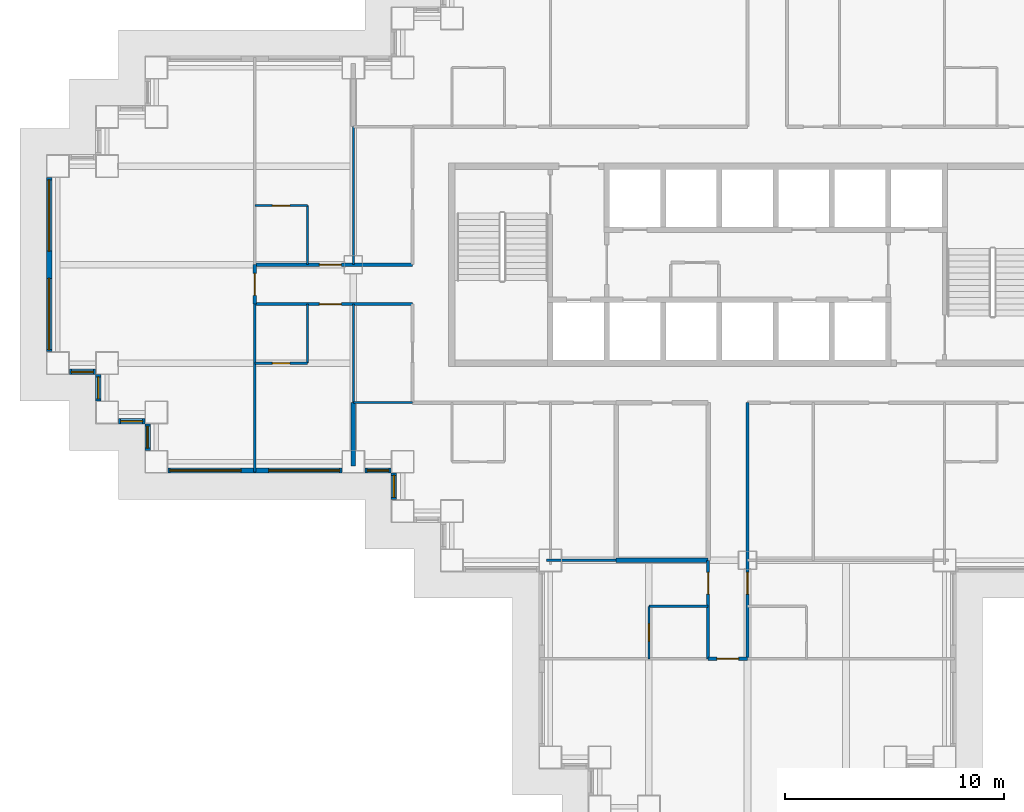
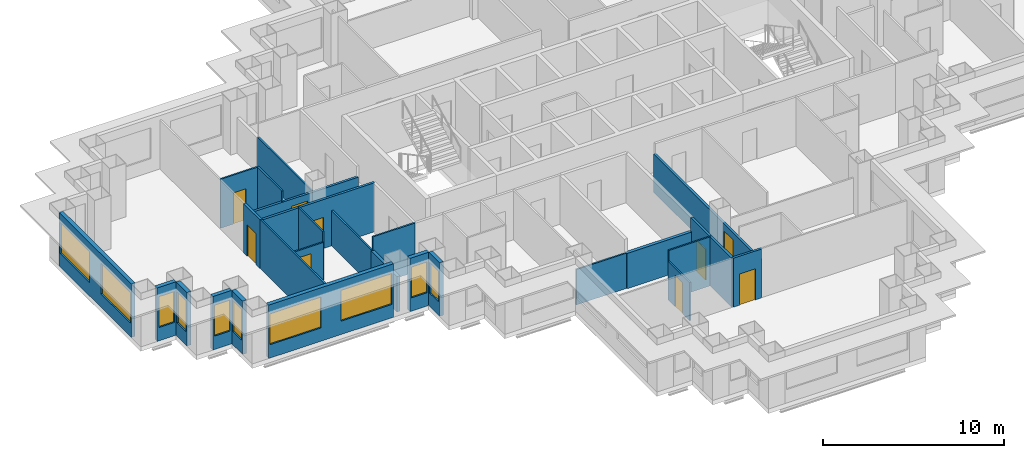
# One storey, part 3 of 14: 27 walls, 10 windows, 9 doors, 19 openings.
"""IFC4 building model written with IfcOpenShell, lengths in metres."""

from ifc_helpers import new_model, si_unit, direction, frame, frame_2d, origin, place, context, subcontext, project, spatial, rectangle, extrude, material, layer, layer_set, type_object, element, fill, save


model = new_model("IFC4")

# Units and contexts
model_context = context("Model", 3, precision=1e-05, world=origin(), true_north=direction((0.0, 1.0)))
body_context = subcontext(model_context, "Body", "Model", "MODEL_VIEW")
ifc_project = project(units=[si_unit("LENGTHUNIT", "METRE"), si_unit("AREAUNIT", "SQUARE_METRE"), si_unit("VOLUMEUNIT", "CUBIC_METRE"), si_unit("PLANEANGLEUNIT", "RADIAN"), si_unit("MASSUNIT", "GRAM", prefix="KILO")], contexts=[model_context])

# Site, building, storey
site_placement = place(None, origin())
site = spatial("IfcSite", under=ifc_project, at=site_placement, CompositionType="ELEMENT")
building_placement = place(site_placement, origin())
building = spatial("IfcBuilding", under=site, at=building_placement, Name="Caravel Reach Hotel and Residences", CompositionType="ELEMENT")
storey_placement = place(building_placement, frame((0.0, 0.0, 40.800048828125)))
storey = spatial("IfcBuildingStorey", under=building, at=storey_placement, Name="L08", CompositionType="ELEMENT", Elevation=40.800048828125)

# Wall
ifc_material_1 = material(Name="Gypsum board on steel stud", Category="steel")
ifc_layer_1 = layer(ifc_material_1, 0.10009765625)
ifc_layer_set_1 = layer_set([ifc_layer_1], Name="Bathroom pod wall 100 mm")
wall_type_1 = type_object("IfcWallType", Name="Bathroom pod wall 100 mm", PredefinedType="PARTITIONING", material=ifc_layer_set_1)
wall_1_placement = place(storey_placement, frame((27.0, 11.39990234375, 0.0), z_axis=(0.0, 0.0, 1.0), x_axis=(1.0, 0.0, 0.0)))
element("IfcWall", 1, at=wall_1_placement, inside=storey, type_object=wall_type_1, Name="L08 wall w075", PredefinedType="PARTITIONING", context=body_context, shape_type="SweptSolid", body=[
    extrude(rectangle(XDim=2.699951171875, YDim=0.10009765625, at=frame_2d((1.35009765625, 0.0))), origin(), (0.0, 0.0, 1.0), 3.300048828125),
])

# Wall, opening, door
wall_2_placement = place(storey_placement, frame((9.0, 22.5, 0.0), z_axis=(0.0, 0.0, 1.0), x_axis=(1.0, 0.0, 0.0)))
wall_2 = element("IfcWall", 2, at=wall_2_placement, inside=storey, type_object=wall_type_1, Name="L08 wall w078", PredefinedType="PARTITIONING", context=body_context, shape_type="SweptSolid", body=[
    extrude(rectangle(XDim=2.39990234375, YDim=0.10009765625, at=frame_2d((1.199951171875, 0.0))), origin(), (0.0, 0.0, 1.0), 2.579833984375),
])
opening_1_placement = place(wall_2_placement, frame((0.800048828125, 0.0, 0.0)))
opening_1 = element("IfcOpeningElement", 3, at=opening_1_placement, cuts=wall_2, Name="Opening D08-016", PredefinedType="OPENING", context=body_context, shape_type="SweptSolid", body=[
    extrude(rectangle(XDim=0.800048828125, YDim=2.10009765625, at=frame_2d((0.39990234375, 1.050048828125))), frame((0.0, 0.06005859375, 0.0), z_axis=(0.0, -1.0, 0.0), x_axis=(1.0, 0.0, 0.0)), (0.0, 0.0, 1.0), 0.1201171875),
])
ifc_material_2 = material(Name="Timber and steel door leaf", Category="steel")
door_type_1 = type_object("IfcDoorType", Name="Bathroom door 800 x 2100", OperationType="SINGLE_SWING_LEFT", PredefinedType="DOOR", material=ifc_material_2)
door_1_placement = place(opening_1_placement, origin())
door_1 = element("IfcDoor", 4, at=door_1_placement, inside=storey, type_object=door_type_1, Name="door D08-016", OperationType="SINGLE_SWING_RIGHT", OverallHeight=2.10009765625, OverallWidth=0.800048828125, PredefinedType="DOOR", context=body_context, shape_type="SweptSolid", body=[
    extrude(rectangle(XDim=0.800048828125, YDim=2.10009765625, at=frame_2d((0.39990234375, 1.050048828125))), frame((0.0, 0.02490234375, 0.0), z_axis=(0.0, -1.0, 0.0), x_axis=(1.0, 0.0, 0.0)), (0.0, 0.0, 1.0), 0.050048828125),
])
fill(opening_1, door_1)

wall_3_placement = place(storey_placement, frame((9.0, 29.699951171875, 0.0), z_axis=(0.0, 0.0, 1.0), x_axis=(1.0, 0.0, 0.0)))
wall_3 = element("IfcWall", 5, at=wall_3_placement, inside=storey, type_object=wall_type_1, Name="L08 wall w083", PredefinedType="PARTITIONING", context=body_context, shape_type="SweptSolid", body=[
    extrude(rectangle(XDim=2.39990234375, YDim=0.10009765625, at=frame_2d((1.199951171875, 0.0))), origin(), (0.0, 0.0, 1.0), 3.300048828125),
])
opening_2_placement = place(wall_3_placement, frame((0.800048828125, 0.0, 0.0)))
opening_2 = element("IfcOpeningElement", 6, at=opening_2_placement, cuts=wall_3, Name="Opening D08-018", PredefinedType="OPENING", context=body_context, shape_type="SweptSolid", body=[
    extrude(rectangle(XDim=0.800048828125, YDim=2.10009765625, at=frame_2d((0.39990234375, 1.050048828125))), frame((0.0, 0.06005859375, 0.0), z_axis=(0.0, -1.0, 0.0), x_axis=(1.0, 0.0, 0.0)), (0.0, 0.0, 1.0), 0.1201171875),
])
door_2_placement = place(opening_2_placement, origin())
door_2 = element("IfcDoor", 7, at=door_2_placement, inside=storey, type_object=door_type_1, Name="door D08-018", OperationType="SINGLE_SWING_RIGHT", OverallHeight=2.10009765625, OverallWidth=0.800048828125, PredefinedType="DOOR", context=body_context, shape_type="SweptSolid", body=[
    extrude(rectangle(XDim=0.800048828125, YDim=2.10009765625, at=frame_2d((0.39990234375, 1.050048828125))), frame((0.0, 0.02490234375, 0.0), z_axis=(0.0, -1.0, 0.0), x_axis=(1.0, 0.0, 0.0)), (0.0, 0.0, 1.0), 0.050048828125),
])
fill(opening_2, door_2)

# Walls
for number, where, z_axis, x_axis, name in (
    (8, (11.39990234375, 27.0, 0.0), (0.0, 0.0, 1.0), (0.0, 1.0, 0.0), "L08 wall w089"),
    (9, (11.39990234375, 22.5, 0.0), (0.0, 0.0, 1.0), (0.0, 1.0, 0.0), "L08 wall w090"),
):
    element("IfcWall", number, at=place(storey_placement, frame(where, z_axis=z_axis, x_axis=x_axis)), inside=storey, type_object=wall_type_1, Name=name, PredefinedType="PARTITIONING", context=body_context, shape_type="SweptSolid", body=[
        extrude(rectangle(XDim=2.699951171875, YDim=0.10009765625, at=frame_2d((1.35009765625, 0.0))), origin(), (0.0, 0.0, 1.0), 3.300048828125),
    ])

# Wall, opening, door
wall_4_placement = place(storey_placement, frame((27.0, 9.0, 0.0), z_axis=(0.0, 0.0, 1.0), x_axis=(0.0, 1.0, 0.0)))
wall_4 = element("IfcWall", 10, at=wall_4_placement, inside=storey, type_object=wall_type_1, Name="L08 wall w095", PredefinedType="PARTITIONING", context=body_context, shape_type="SweptSolid", body=[
    extrude(rectangle(XDim=2.39990234375, YDim=0.10009765625, at=frame_2d((1.199951171875, 0.0))), origin(), (0.0, 0.0, 1.0), 2.579833984375),
])
opening_3_placement = place(wall_4_placement, frame((0.800048828125, 0.0, 0.0)))
opening_3 = element("IfcOpeningElement", 11, at=opening_3_placement, cuts=wall_4, Name="Opening D08-033", PredefinedType="OPENING", context=body_context, shape_type="SweptSolid", body=[
    extrude(rectangle(XDim=0.800048828125, YDim=2.10009765625, at=frame_2d((0.39990234375, 1.050048828125))), frame((0.0, 0.06005859375, 0.0), z_axis=(0.0, -1.0, 0.0), x_axis=(1.0, 0.0, 0.0)), (0.0, 0.0, 1.0), 0.1201171875),
])
door_3_placement = place(opening_3_placement, origin())
door_3 = element("IfcDoor", 12, at=door_3_placement, inside=storey, type_object=door_type_1, Name="door D08-033", OperationType="SINGLE_SWING_LEFT", OverallHeight=2.10009765625, OverallWidth=0.800048828125, PredefinedType="DOOR", context=body_context, shape_type="SweptSolid", body=[
    extrude(rectangle(XDim=0.800048828125, YDim=2.10009765625, at=frame_2d((0.39990234375, 1.050048828125))), frame((0.0, 0.02490234375, 0.0), z_axis=(0.0, -1.0, 0.0), x_axis=(1.0, 0.0, 0.0)), (0.0, 0.0, 1.0), 0.050048828125),
])
fill(opening_3, door_3)

# Wall
ifc_material_3 = material(Name="Autoclaved aerated block wall")
ifc_layer_2 = layer(ifc_material_3, 0.199951171875)
ifc_layer_set_2 = layer_set([ifc_layer_2], Name="Compartment wall 200 mm EI 120")
wall_type_2 = type_object("IfcWallType", Name="Compartment wall 200 mm EI 120", PredefinedType="PARTITIONING", material=ifc_layer_set_2)
wall_5_placement = place(storey_placement, frame((25.5, 13.5, 0.0), z_axis=(0.0, 0.0, 1.0), x_axis=(1.0, 0.0, 0.0)))
element("IfcWall", 13, at=wall_5_placement, inside=storey, type_object=wall_type_2, Name="L08 wall w105", PredefinedType="PARTITIONING", context=body_context, shape_type="SweptSolid", body=[
    extrude(rectangle(XDim=4.199951171875, YDim=0.199951171875, at=frame_2d((2.10009765625, 0.0))), origin(), (0.0, 0.0, 1.0), 2.3798828125),
])

# Wall, opening, door
ifc_material_4 = material(Name="Gypsum board on steel stud, fire-rated", Category="steel")
ifc_layer_3 = layer(ifc_material_4, 0.14990234375)
ifc_layer_set_3 = layer_set([ifc_layer_3], Name="Corridor wall 150 mm EI 60")
wall_type_3 = type_object("IfcWallType", Name="Corridor wall 150 mm EI 60", PredefinedType="PARTITIONING", material=ifc_layer_set_3)
wall_6_placement = place(storey_placement, frame((9.0, 25.199951171875, 0.0), z_axis=(0.0, 0.0, 1.0), x_axis=(1.0, 0.0, 0.0)))
wall_6 = element("IfcWall", 14, at=wall_6_placement, inside=storey, type_object=wall_type_3, Name="L08 wall w006", PredefinedType="PARTITIONING", context=body_context, shape_type="SweptSolid", body=[
    extrude(rectangle(XDim=7.199951171875, YDim=0.14990234375, at=frame_2d((3.60009765625, 0.0))), origin(), (0.0, 0.0, 1.0), 3.300048828125),
])
opening_4_placement = place(wall_6_placement, frame((2.949951171875, 0.0, 0.0)))
opening_4 = element("IfcOpeningElement", 15, at=opening_4_placement, cuts=wall_6, Name="Opening D08-015", PredefinedType="OPENING", context=body_context, shape_type="SweptSolid", body=[
    extrude(rectangle(XDim=1.0, YDim=2.10009765625, at=frame_2d((0.5, 1.050048828125))), frame((0.0, 0.0849609375, 0.0), z_axis=(0.0, -1.0, 0.0), x_axis=(1.0, 0.0, 0.0)), (0.0, 0.0, 1.0), 0.169921875),
])
ifc_material_5 = material(Name="Steel fire door leaf", Category="steel")
door_type_2 = type_object("IfcDoorType", Name="Guest room door 1000 x 2100 EI 30", OperationType="SINGLE_SWING_LEFT", PredefinedType="DOOR", material=ifc_material_5)
door_4_placement = place(opening_4_placement, origin())
door_4 = element("IfcDoor", 16, at=door_4_placement, inside=storey, type_object=door_type_2, Name="door D08-015", OperationType="SINGLE_SWING_RIGHT", OverallHeight=2.10009765625, OverallWidth=1.0, PredefinedType="DOOR", context=body_context, shape_type="SweptSolid", body=[
    extrude(rectangle(XDim=1.0, YDim=2.10009765625, at=frame_2d((0.5, 1.050048828125))), frame((0.0, 0.02490234375, 0.0), z_axis=(0.0, -1.0, 0.0), x_axis=(1.0, 0.0, 0.0)), (0.0, 0.0, 1.0), 0.050048828125),
])
fill(opening_4, door_4)

wall_7_placement = place(storey_placement, frame((9.0, 27.0, 0.0), z_axis=(0.0, 0.0, 1.0), x_axis=(1.0, 0.0, 0.0)))
wall_7 = element("IfcWall", 17, at=wall_7_placement, inside=storey, type_object=wall_type_3, Name="L08 wall w010", PredefinedType="PARTITIONING", context=body_context, shape_type="SweptSolid", body=[
    extrude(rectangle(XDim=7.199951171875, YDim=0.14990234375, at=frame_2d((3.60009765625, 0.0))), origin(), (0.0, 0.0, 1.0), 2.579833984375),
])
opening_5_placement = place(wall_7_placement, frame((2.949951171875, 0.0, 0.0)))
opening_5 = element("IfcOpeningElement", 18, at=opening_5_placement, cuts=wall_7, Name="Opening D08-017", PredefinedType="OPENING", context=body_context, shape_type="SweptSolid", body=[
    extrude(rectangle(XDim=1.0, YDim=2.10009765625, at=frame_2d((0.5, 1.050048828125))), frame((0.0, 0.0849609375, 0.0), z_axis=(0.0, -1.0, 0.0), x_axis=(1.0, 0.0, 0.0)), (0.0, 0.0, 1.0), 0.169921875),
])
door_5_placement = place(opening_5_placement, origin())
door_5 = element("IfcDoor", 19, at=door_5_placement, inside=storey, type_object=door_type_2, Name="door D08-017", OperationType="SINGLE_SWING_RIGHT", OverallHeight=2.10009765625, OverallWidth=1.0, PredefinedType="DOOR", context=body_context, shape_type="SweptSolid", body=[
    extrude(rectangle(XDim=1.0, YDim=2.10009765625, at=frame_2d((0.5, 1.050048828125))), frame((0.0, 0.02490234375, 0.0), z_axis=(0.0, -1.0, 0.0), x_axis=(1.0, 0.0, 0.0)), (0.0, 0.0, 1.0), 0.050048828125),
])
fill(opening_5, door_5)

wall_8_placement = place(storey_placement, frame((29.699951171875, 9.0, 0.0), z_axis=(0.0, 0.0, 1.0), x_axis=(1.0, 0.0, 0.0)))
wall_8 = element("IfcWall", 20, at=wall_8_placement, inside=storey, type_object=wall_type_3, Name="L08 wall w022", PredefinedType="PARTITIONING", context=body_context, shape_type="SweptSolid", body=[
    extrude(rectangle(XDim=1.800048828125, YDim=0.14990234375, at=frame_2d((0.89990234375, 0.0))), origin(), (0.0, 0.0, 1.0), 3.300048828125),
])
opening_6_placement = place(wall_8_placement, frame((0.39990234375, 0.0, 0.0)))
opening_6 = element("IfcOpeningElement", 21, at=opening_6_placement, cuts=wall_8, Name="Opening D08-040", PredefinedType="OPENING", context=body_context, shape_type="SweptSolid", body=[
    extrude(rectangle(XDim=1.0, YDim=2.10009765625, at=frame_2d((0.5, 1.050048828125))), frame((0.0, 0.0849609375, 0.0), z_axis=(0.0, -1.0, 0.0), x_axis=(1.0, 0.0, 0.0)), (0.0, 0.0, 1.0), 0.169921875),
])
door_6_placement = place(opening_6_placement, origin())
door_6 = element("IfcDoor", 22, at=door_6_placement, inside=storey, type_object=door_type_2, Name="door D08-040", OperationType="SINGLE_SWING_RIGHT", OverallHeight=2.10009765625, OverallWidth=1.0, PredefinedType="DOOR", context=body_context, shape_type="SweptSolid", body=[
    extrude(rectangle(XDim=1.0, YDim=2.10009765625, at=frame_2d((0.5, 1.050048828125))), frame((0.0, 0.02490234375, 0.0), z_axis=(0.0, -1.0, 0.0), x_axis=(1.0, 0.0, 0.0)), (0.0, 0.0, 1.0), 0.050048828125),
])
fill(opening_6, door_6)

wall_9_placement = place(storey_placement, frame((29.699951171875, 9.0, 0.0), z_axis=(0.0, 0.0, 1.0), x_axis=(0.0, 1.0, 0.0)))
wall_9 = element("IfcWall", 23, at=wall_9_placement, inside=storey, type_object=wall_type_3, Name="L08 wall w025", PredefinedType="PARTITIONING", context=body_context, shape_type="SweptSolid", body=[
    extrude(rectangle(XDim=4.5, YDim=0.14990234375, at=frame_2d((2.25, 0.0))), origin(), (0.0, 0.0, 1.0), 3.300048828125),
])
opening_7_placement = place(wall_9_placement, frame((2.949951171875, 0.0, 0.0)))
opening_7 = element("IfcOpeningElement", 24, at=opening_7_placement, cuts=wall_9, Name="Opening D08-032", PredefinedType="OPENING", context=body_context, shape_type="SweptSolid", body=[
    extrude(rectangle(XDim=1.0, YDim=2.10009765625, at=frame_2d((0.5, 1.050048828125))), frame((0.0, 0.0849609375, 0.0), z_axis=(0.0, -1.0, 0.0), x_axis=(1.0, 0.0, 0.0)), (0.0, 0.0, 1.0), 0.169921875),
])
door_7_placement = place(opening_7_placement, origin())
door_7 = element("IfcDoor", 25, at=door_7_placement, inside=storey, type_object=door_type_2, Name="door D08-032", OperationType="SINGLE_SWING_RIGHT", OverallHeight=2.10009765625, OverallWidth=1.0, PredefinedType="DOOR", context=body_context, shape_type="SweptSolid", body=[
    extrude(rectangle(XDim=1.0, YDim=2.10009765625, at=frame_2d((0.5, 1.050048828125))), frame((0.0, 0.02490234375, 0.0), z_axis=(0.0, -1.0, 0.0), x_axis=(1.0, 0.0, 0.0)), (0.0, 0.0, 1.0), 0.050048828125),
])
fill(opening_7, door_7)

wall_10_placement = place(storey_placement, frame((31.5, 9.0, 0.0), z_axis=(0.0, 0.0, 1.0), x_axis=(0.0, 1.0, 0.0)))
wall_10 = element("IfcWall", 26, at=wall_10_placement, inside=storey, type_object=wall_type_3, Name="L08 wall w026", PredefinedType="PARTITIONING", context=body_context, shape_type="SweptSolid", body=[
    extrude(rectangle(XDim=11.699951171875, YDim=0.14990234375, at=frame_2d((5.85009765625, 0.0))), origin(), (0.0, 0.0, 1.0), 2.579833984375),
])
opening_8_placement = place(wall_10_placement, frame((2.949951171875, 0.0, 0.0)))
opening_8 = element("IfcOpeningElement", 27, at=opening_8_placement, cuts=wall_10, Name="Opening D08-034", PredefinedType="OPENING", context=body_context, shape_type="SweptSolid", body=[
    extrude(rectangle(XDim=1.0, YDim=2.10009765625, at=frame_2d((0.5, 1.050048828125))), frame((0.0, 0.0849609375, 0.0), z_axis=(0.0, -1.0, 0.0), x_axis=(1.0, 0.0, 0.0)), (0.0, 0.0, 1.0), 0.169921875),
])
door_8_placement = place(opening_8_placement, origin())
door_8 = element("IfcDoor", 28, at=door_8_placement, inside=storey, type_object=door_type_2, Name="door D08-034", OperationType="SINGLE_SWING_RIGHT", OverallHeight=2.10009765625, OverallWidth=1.0, PredefinedType="DOOR", context=body_context, shape_type="SweptSolid", body=[
    extrude(rectangle(XDim=1.0, YDim=2.10009765625, at=frame_2d((0.5, 1.050048828125))), frame((0.0, 0.02490234375, 0.0), z_axis=(0.0, -1.0, 0.0), x_axis=(1.0, 0.0, 0.0)), (0.0, 0.0, 1.0), 0.050048828125),
])
fill(opening_8, door_8)

wall_11_placement = place(storey_placement, frame((9.0, 25.199951171875, 0.0), z_axis=(0.0, 0.0, 1.0), x_axis=(0.0, 1.0, 0.0)))
wall_11 = element("IfcWall", 29, at=wall_11_placement, inside=storey, type_object=wall_type_3, Name="L08 wall w037", PredefinedType="PARTITIONING", context=body_context, shape_type="SweptSolid", body=[
    extrude(rectangle(XDim=1.800048828125, YDim=0.14990234375, at=frame_2d((0.89990234375, 0.0))), origin(), (0.0, 0.0, 1.0), 3.300048828125),
])
opening_9_placement = place(wall_11_placement, frame((0.39990234375, 0.0, 0.0)))
opening_9 = element("IfcOpeningElement", 30, at=opening_9_placement, cuts=wall_11, Name="Opening D08-036", PredefinedType="OPENING", context=body_context, shape_type="SweptSolid", body=[
    extrude(rectangle(XDim=1.0, YDim=2.10009765625, at=frame_2d((0.5, 1.050048828125))), frame((0.0, 0.0849609375, 0.0), z_axis=(0.0, -1.0, 0.0), x_axis=(1.0, 0.0, 0.0)), (0.0, 0.0, 1.0), 0.169921875),
])
door_9_placement = place(opening_9_placement, origin())
door_9 = element("IfcDoor", 31, at=door_9_placement, inside=storey, type_object=door_type_2, Name="door D08-036", OperationType="SINGLE_SWING_RIGHT", OverallHeight=2.10009765625, OverallWidth=1.0, PredefinedType="DOOR", context=body_context, shape_type="SweptSolid", body=[
    extrude(rectangle(XDim=1.0, YDim=2.10009765625, at=frame_2d((0.5, 1.050048828125))), frame((0.0, 0.02490234375, 0.0), z_axis=(0.0, -1.0, 0.0), x_axis=(1.0, 0.0, 0.0)), (0.0, 0.0, 1.0), 0.050048828125),
])
fill(opening_9, door_9)

# Wall, openings, windows
ifc_material_6 = material(Name="Insulated rainscreen wall, aluminium cladding", Category="aluminium")
ifc_layer_4 = layer(ifc_material_6, 0.25)
ifc_layer_set_4 = layer_set([ifc_layer_4], Name="EW1 Tower rainscreen wall")
wall_type_4 = type_object("IfcWallType", Name="EW1 Tower rainscreen wall", PredefinedType="SOLIDWALL", material=ifc_layer_set_4)
wall_12_placement = place(storey_placement, frame((-0.39990234375, 30.97509765625, 0.0), z_axis=(0.0, 0.0, 1.0), x_axis=(0.0, -1.0, 0.0)))
wall_12 = element("IfcWall", 32, at=wall_12_placement, inside=storey, type_object=wall_type_4, Name="External wall L08 W50.1", PredefinedType="SOLIDWALL", context=body_context, shape_type="SweptSolid", body=[
    extrude(rectangle(XDim=7.9501953125, YDim=0.25, at=frame_2d((3.97509765625, 0.0))), origin(), (0.0, 0.0, 1.0), 3.599853515625),
])
opening_10_placement = place(wall_12_placement, frame((0.10009765625, 0.0, 0.89990234375)))
opening_10 = element("IfcOpeningElement", 33, at=opening_10_placement, cuts=wall_12, Name="Opening WN2", PredefinedType="OPENING", context=body_context, shape_type="SweptSolid", body=[
    extrude(rectangle(XDim=3.25, YDim=2.080078125, at=frame_2d((1.625, 1.0400390625))), frame((0.0, 0.135009765625, 0.0), z_axis=(0.0, -1.0, 0.0), x_axis=(1.0, 0.0, 0.0)), (0.0, 0.0, 1.0), 0.27001953125),
])
opening_11_placement = place(wall_12_placement, frame((4.60009765625, 0.0, 0.89990234375)))
opening_11 = element("IfcOpeningElement", 34, at=opening_11_placement, cuts=wall_12, Name="Opening WN2", PredefinedType="OPENING", context=body_context, shape_type="SweptSolid", body=[
    extrude(rectangle(XDim=3.25, YDim=2.080078125, at=frame_2d((1.625, 1.0400390625))), frame((0.0, 0.135009765625, 0.0), z_axis=(0.0, -1.0, 0.0), x_axis=(1.0, 0.0, 0.0)), (0.0, 0.0, 1.0), 0.27001953125),
])
ifc_material_7 = material(Name="Dark low-e glazing in black aluminium frame", Category="aluminium")
window_type_1 = type_object("IfcWindowType", Name="Hotel guest room window 3250 x 2080", PartitioningType="SINGLE_PANEL", PredefinedType="WINDOW", material=ifc_material_7)
window_1_placement = place(opening_10_placement, origin())
window_1 = element("IfcWindow", 35, at=window_1_placement, inside=storey, type_object=window_type_1, Name="Window L08 W50.1.1", OverallHeight=2.080078125, OverallWidth=3.25, PartitioningType="SINGLE_PANEL", PredefinedType="WINDOW", context=body_context, shape_type="SweptSolid", body=[
    extrude(rectangle(XDim=3.25, YDim=2.080078125, at=frame_2d((1.625, 1.0400390625))), frame((0.0, 0.030029296875, 0.0), z_axis=(0.0, -1.0, 0.0), x_axis=(1.0, 0.0, 0.0)), (0.0, 0.0, 1.0), 0.06005859375),
])
fill(opening_10, window_1)
window_2_placement = place(opening_11_placement, origin())
window_2 = element("IfcWindow", 36, at=window_2_placement, inside=storey, type_object=window_type_1, Name="Window L08 W50.1.2", OverallHeight=2.080078125, OverallWidth=3.25, PartitioningType="SINGLE_PANEL", PredefinedType="WINDOW", context=body_context, shape_type="SweptSolid", body=[
    extrude(rectangle(XDim=3.25, YDim=2.080078125, at=frame_2d((1.625, 1.0400390625))), frame((0.0, 0.030029296875, 0.0), z_axis=(0.0, -1.0, 0.0), x_axis=(1.0, 0.0, 0.0)), (0.0, 0.0, 1.0), 0.06005859375),
])
fill(opening_11, window_2)

# Wall, opening, window
wall_13_placement = place(storey_placement, frame((0.52490234375, 22.10009765625, 0.0), z_axis=(0.0, 0.0, 1.0), x_axis=(1.0, 0.0, 0.0)))
wall_13 = element("IfcWall", 37, at=wall_13_placement, inside=storey, type_object=wall_type_4, Name="External wall L08 S51.1", PredefinedType="SOLIDWALL", context=body_context, shape_type="SweptSolid", body=[
    extrude(rectangle(XDim=1.2001953125, YDim=0.25, at=frame_2d((0.60009765625, 0.0))), origin(), (0.0, 0.0, 1.0), 3.599853515625),
])
opening_12_placement = place(wall_13_placement, frame((0.10009765625, 0.0, 0.89990234375)))
opening_12 = element("IfcOpeningElement", 38, at=opening_12_placement, cuts=wall_13, Name="Opening WN1", PredefinedType="OPENING", context=body_context, shape_type="SweptSolid", body=[
    extrude(rectangle(XDim=1.0, YDim=2.080078125, at=frame_2d((0.5, 1.0400390625))), frame((0.0, 0.135009765625, 0.0), z_axis=(0.0, -1.0, 0.0), x_axis=(1.0, 0.0, 0.0)), (0.0, 0.0, 1.0), 0.27001953125),
])
ifc_material_8 = material(Name="Dark low-e glazing in black aluminium frame", Category="aluminium")
window_type_2 = type_object("IfcWindowType", Name="Hotel suite corner window 1000 x 2080", PartitioningType="SINGLE_PANEL", PredefinedType="WINDOW", material=ifc_material_8)
window_3_placement = place(opening_12_placement, origin())
window_3 = element("IfcWindow", 39, at=window_3_placement, inside=storey, type_object=window_type_2, Name="Window L08 S51.1.1", OverallHeight=2.080078125, OverallWidth=1.0, PartitioningType="SINGLE_PANEL", PredefinedType="WINDOW", context=body_context, shape_type="SweptSolid", body=[
    extrude(rectangle(XDim=1.0, YDim=2.080078125, at=frame_2d((0.5, 1.0400390625))), frame((0.0, 0.030029296875, 0.0), z_axis=(0.0, -1.0, 0.0), x_axis=(1.0, 0.0, 0.0)), (0.0, 0.0, 1.0), 0.06005859375),
])
fill(opening_12, window_3)

wall_14_placement = place(storey_placement, frame((1.85009765625, 21.97509765625, 0.0), z_axis=(0.0, 0.0, 1.0), x_axis=(0.0, -1.0, 0.0)))
wall_14 = element("IfcWall", 40, at=wall_14_placement, inside=storey, type_object=wall_type_4, Name="External wall L08 W52.1", PredefinedType="SOLIDWALL", context=body_context, shape_type="SweptSolid", body=[
    extrude(rectangle(XDim=1.2001953125, YDim=0.25, at=frame_2d((0.60009765625, 0.0))), origin(), (0.0, 0.0, 1.0), 3.599853515625),
])
opening_13_placement = place(wall_14_placement, frame((0.10009765625, 0.0, 0.89990234375)))
opening_13 = element("IfcOpeningElement", 41, at=opening_13_placement, cuts=wall_14, Name="Opening WN1", PredefinedType="OPENING", context=body_context, shape_type="SweptSolid", body=[
    extrude(rectangle(XDim=1.0, YDim=2.080078125, at=frame_2d((0.5, 1.0400390625))), frame((0.0, 0.135009765625, 0.0), z_axis=(0.0, -1.0, 0.0), x_axis=(1.0, 0.0, 0.0)), (0.0, 0.0, 1.0), 0.27001953125),
])
window_4_placement = place(opening_13_placement, origin())
window_4 = element("IfcWindow", 42, at=window_4_placement, inside=storey, type_object=window_type_2, Name="Window L08 W52.1.1", OverallHeight=2.080078125, OverallWidth=1.0, PartitioningType="SINGLE_PANEL", PredefinedType="WINDOW", context=body_context, shape_type="SweptSolid", body=[
    extrude(rectangle(XDim=1.0, YDim=2.080078125, at=frame_2d((0.5, 1.0400390625))), frame((0.0, 0.030029296875, 0.0), z_axis=(0.0, -1.0, 0.0), x_axis=(1.0, 0.0, 0.0)), (0.0, 0.0, 1.0), 0.06005859375),
])
fill(opening_13, window_4)

wall_15_placement = place(storey_placement, frame((2.77490234375, 19.85009765625, 0.0), z_axis=(0.0, 0.0, 1.0), x_axis=(1.0, 0.0, 0.0)))
wall_15 = element("IfcWall", 43, at=wall_15_placement, inside=storey, type_object=wall_type_4, Name="External wall L08 S53.1", PredefinedType="SOLIDWALL", context=body_context, shape_type="SweptSolid", body=[
    extrude(rectangle(XDim=1.2001953125, YDim=0.25, at=frame_2d((0.60009765625, 0.0))), origin(), (0.0, 0.0, 1.0), 3.599853515625),
])
opening_14_placement = place(wall_15_placement, frame((0.10009765625, 0.0, 0.89990234375)))
opening_14 = element("IfcOpeningElement", 44, at=opening_14_placement, cuts=wall_15, Name="Opening WN1", PredefinedType="OPENING", context=body_context, shape_type="SweptSolid", body=[
    extrude(rectangle(XDim=1.0, YDim=2.080078125, at=frame_2d((0.5, 1.0400390625))), frame((0.0, 0.135009765625, 0.0), z_axis=(0.0, -1.0, 0.0), x_axis=(1.0, 0.0, 0.0)), (0.0, 0.0, 1.0), 0.27001953125),
])
window_5_placement = place(opening_14_placement, origin())
window_5 = element("IfcWindow", 45, at=window_5_placement, inside=storey, type_object=window_type_2, Name="Window L08 S53.1.1", OverallHeight=2.080078125, OverallWidth=1.0, PartitioningType="SINGLE_PANEL", PredefinedType="WINDOW", context=body_context, shape_type="SweptSolid", body=[
    extrude(rectangle(XDim=1.0, YDim=2.080078125, at=frame_2d((0.5, 1.0400390625))), frame((0.0, 0.030029296875, 0.0), z_axis=(0.0, -1.0, 0.0), x_axis=(1.0, 0.0, 0.0)), (0.0, 0.0, 1.0), 0.06005859375),
])
fill(opening_14, window_5)

wall_16_placement = place(storey_placement, frame((4.10009765625, 19.72509765625, 0.0), z_axis=(0.0, 0.0, 1.0), x_axis=(0.0, -1.0, 0.0)))
wall_16 = element("IfcWall", 46, at=wall_16_placement, inside=storey, type_object=wall_type_4, Name="External wall L08 W54.1", PredefinedType="SOLIDWALL", context=body_context, shape_type="SweptSolid", body=[
    extrude(rectangle(XDim=1.2001953125, YDim=0.25, at=frame_2d((0.60009765625, 0.0))), origin(), (0.0, 0.0, 1.0), 3.599853515625),
])
opening_15_placement = place(wall_16_placement, frame((0.10009765625, 0.0, 0.89990234375)))
opening_15 = element("IfcOpeningElement", 47, at=opening_15_placement, cuts=wall_16, Name="Opening WN1", PredefinedType="OPENING", context=body_context, shape_type="SweptSolid", body=[
    extrude(rectangle(XDim=1.0, YDim=2.080078125, at=frame_2d((0.5, 1.0400390625))), frame((0.0, 0.135009765625, 0.0), z_axis=(0.0, -1.0, 0.0), x_axis=(1.0, 0.0, 0.0)), (0.0, 0.0, 1.0), 0.27001953125),
])
window_6_placement = place(opening_15_placement, origin())
window_6 = element("IfcWindow", 48, at=window_6_placement, inside=storey, type_object=window_type_2, Name="Window L08 W54.1.1", OverallHeight=2.080078125, OverallWidth=1.0, PartitioningType="SINGLE_PANEL", PredefinedType="WINDOW", context=body_context, shape_type="SweptSolid", body=[
    extrude(rectangle(XDim=1.0, YDim=2.080078125, at=frame_2d((0.5, 1.0400390625))), frame((0.0, 0.030029296875, 0.0), z_axis=(0.0, -1.0, 0.0), x_axis=(1.0, 0.0, 0.0)), (0.0, 0.0, 1.0), 0.06005859375),
])
fill(opening_15, window_6)

# Wall, openings, windows
wall_17_placement = place(storey_placement, frame((5.02490234375, 17.60009765625, 0.0), z_axis=(0.0, 0.0, 1.0), x_axis=(1.0, 0.0, 0.0)))
wall_17 = element("IfcWall", 49, at=wall_17_placement, inside=storey, type_object=wall_type_4, Name="External wall L08 S55.1", PredefinedType="SOLIDWALL", context=body_context, shape_type="SweptSolid", body=[
    extrude(rectangle(XDim=7.9501953125, YDim=0.25, at=frame_2d((3.97509765625, 0.0))), origin(), (0.0, 0.0, 1.0), 3.599853515625),
])
opening_16_placement = place(wall_17_placement, frame((0.10009765625, 0.0, 0.89990234375)))
opening_16 = element("IfcOpeningElement", 50, at=opening_16_placement, cuts=wall_17, Name="Opening WN2", PredefinedType="OPENING", context=body_context, shape_type="SweptSolid", body=[
    extrude(rectangle(XDim=3.25, YDim=2.080078125, at=frame_2d((1.625, 1.0400390625))), frame((0.0, 0.135009765625, 0.0), z_axis=(0.0, -1.0, 0.0), x_axis=(1.0, 0.0, 0.0)), (0.0, 0.0, 1.0), 0.27001953125),
])
opening_17_placement = place(wall_17_placement, frame((4.60009765625, 0.0, 0.89990234375)))
opening_17 = element("IfcOpeningElement", 51, at=opening_17_placement, cuts=wall_17, Name="Opening WN2", PredefinedType="OPENING", context=body_context, shape_type="SweptSolid", body=[
    extrude(rectangle(XDim=3.25, YDim=2.080078125, at=frame_2d((1.625, 1.0400390625))), frame((0.0, 0.135009765625, 0.0), z_axis=(0.0, -1.0, 0.0), x_axis=(1.0, 0.0, 0.0)), (0.0, 0.0, 1.0), 0.27001953125),
])
window_7_placement = place(opening_16_placement, origin())
window_7 = element("IfcWindow", 52, at=window_7_placement, inside=storey, type_object=window_type_1, Name="Window L08 S55.1.1", OverallHeight=2.080078125, OverallWidth=3.25, PartitioningType="SINGLE_PANEL", PredefinedType="WINDOW", context=body_context, shape_type="SweptSolid", body=[
    extrude(rectangle(XDim=3.25, YDim=2.080078125, at=frame_2d((1.625, 1.0400390625))), frame((0.0, 0.030029296875, 0.0), z_axis=(0.0, -1.0, 0.0), x_axis=(1.0, 0.0, 0.0)), (0.0, 0.0, 1.0), 0.06005859375),
])
fill(opening_16, window_7)
window_8_placement = place(opening_17_placement, origin())
window_8 = element("IfcWindow", 53, at=window_8_placement, inside=storey, type_object=window_type_1, Name="Window L08 S55.1.2", OverallHeight=2.080078125, OverallWidth=3.25, PartitioningType="SINGLE_PANEL", PredefinedType="WINDOW", context=body_context, shape_type="SweptSolid", body=[
    extrude(rectangle(XDim=3.25, YDim=2.080078125, at=frame_2d((1.625, 1.0400390625))), frame((0.0, 0.030029296875, 0.0), z_axis=(0.0, -1.0, 0.0), x_axis=(1.0, 0.0, 0.0)), (0.0, 0.0, 1.0), 0.06005859375),
])
fill(opening_17, window_8)

# Wall, opening, window
wall_18_placement = place(storey_placement, frame((14.02490234375, 17.60009765625, 0.0), z_axis=(0.0, 0.0, 1.0), x_axis=(1.0, 0.0, 0.0)))
wall_18 = element("IfcWall", 54, at=wall_18_placement, inside=storey, type_object=wall_type_4, Name="External wall L08 S55.2", PredefinedType="SOLIDWALL", context=body_context, shape_type="SweptSolid", body=[
    extrude(rectangle(XDim=1.2001953125, YDim=0.25, at=frame_2d((0.60009765625, 0.0))), origin(), (0.0, 0.0, 1.0), 3.599853515625),
])
opening_18_placement = place(wall_18_placement, frame((0.10009765625, 0.0, 0.89990234375)))
opening_18 = element("IfcOpeningElement", 55, at=opening_18_placement, cuts=wall_18, Name="Opening WN1", PredefinedType="OPENING", context=body_context, shape_type="SweptSolid", body=[
    extrude(rectangle(XDim=1.0, YDim=2.080078125, at=frame_2d((0.5, 1.0400390625))), frame((0.0, 0.135009765625, 0.0), z_axis=(0.0, -1.0, 0.0), x_axis=(1.0, 0.0, 0.0)), (0.0, 0.0, 1.0), 0.27001953125),
])
window_9_placement = place(opening_18_placement, origin())
window_9 = element("IfcWindow", 56, at=window_9_placement, inside=storey, type_object=window_type_2, Name="Window L08 S55.2.1", OverallHeight=2.080078125, OverallWidth=1.0, PartitioningType="SINGLE_PANEL", PredefinedType="WINDOW", context=body_context, shape_type="SweptSolid", body=[
    extrude(rectangle(XDim=1.0, YDim=2.080078125, at=frame_2d((0.5, 1.0400390625))), frame((0.0, 0.030029296875, 0.0), z_axis=(0.0, -1.0, 0.0), x_axis=(1.0, 0.0, 0.0)), (0.0, 0.0, 1.0), 0.06005859375),
])
fill(opening_18, window_9)

wall_19_placement = place(storey_placement, frame((15.35009765625, 17.47509765625, 0.0), z_axis=(0.0, 0.0, 1.0), x_axis=(0.0, -1.0, 0.0)))
wall_19 = element("IfcWall", 57, at=wall_19_placement, inside=storey, type_object=wall_type_4, Name="External wall L08 W56.1", PredefinedType="SOLIDWALL", context=body_context, shape_type="SweptSolid", body=[
    extrude(rectangle(XDim=1.2001953125, YDim=0.25, at=frame_2d((0.60009765625, 0.0))), origin(), (0.0, 0.0, 1.0), 3.599853515625),
])
opening_19_placement = place(wall_19_placement, frame((0.10009765625, 0.0, 0.89990234375)))
opening_19 = element("IfcOpeningElement", 58, at=opening_19_placement, cuts=wall_19, Name="Opening WN1", PredefinedType="OPENING", context=body_context, shape_type="SweptSolid", body=[
    extrude(rectangle(XDim=1.0, YDim=2.080078125, at=frame_2d((0.5, 1.0400390625))), frame((0.0, 0.135009765625, 0.0), z_axis=(0.0, -1.0, 0.0), x_axis=(1.0, 0.0, 0.0)), (0.0, 0.0, 1.0), 0.27001953125),
])
window_10_placement = place(opening_19_placement, origin())
window_10 = element("IfcWindow", 59, at=window_10_placement, inside=storey, type_object=window_type_2, Name="Window L08 W56.1.1", OverallHeight=2.080078125, OverallWidth=1.0, PartitioningType="SINGLE_PANEL", PredefinedType="WINDOW", context=body_context, shape_type="SweptSolid", body=[
    extrude(rectangle(XDim=1.0, YDim=2.080078125, at=frame_2d((0.5, 1.0400390625))), frame((0.0, 0.030029296875, 0.0), z_axis=(0.0, -1.0, 0.0), x_axis=(1.0, 0.0, 0.0)), (0.0, 0.0, 1.0), 0.06005859375),
])
fill(opening_19, window_10)

# Walls
ifc_material_9 = material(Name="Gypsum board on steel stud", Category="steel")
ifc_layer_5 = layer(ifc_material_9, 0.10009765625)
ifc_layer_set_5 = layer_set([ifc_layer_5], Name="Partition 100 mm")
wall_type_5 = type_object("IfcWallType", Name="Partition 100 mm", PredefinedType="PARTITIONING", material=ifc_layer_set_5)
wall_20_placement = place(storey_placement, frame((22.31005859375, 13.5, 0.0), z_axis=(0.0, 0.0, 1.0), x_axis=(1.0, 0.0, 0.0)))
element("IfcWall", 60, at=wall_20_placement, inside=storey, type_object=wall_type_5, Name="L08 wall w040", PredefinedType="PARTITIONING", context=body_context, shape_type="SweptSolid", body=[
    extrude(rectangle(XDim=3.18994140625, YDim=0.10009765625, at=frame_2d((1.594970703125, 0.0))), origin(), (0.0, 0.0, 1.0), 2.3798828125),
])
wall_21_placement = place(storey_placement, frame((13.5, 20.699951171875, 0.0), z_axis=(0.0, 0.0, 1.0), x_axis=(1.0, 0.0, 0.0)))
element("IfcWall", 61, at=wall_21_placement, inside=storey, type_object=wall_type_5, Name="L08 wall w041", PredefinedType="PARTITIONING", context=body_context, shape_type="SweptSolid", body=[
    extrude(rectangle(XDim=2.699951171875, YDim=0.10009765625, at=frame_2d((1.35009765625, 0.0))), origin(), (0.0, 0.0, 1.0), 3.300048828125),
])
wall_22_placement = place(storey_placement, frame((13.5, 27.0, 0.0), z_axis=(0.0, 0.0, 1.0), x_axis=(0.0, 1.0, 0.0)))
element("IfcWall", 62, at=wall_22_placement, inside=storey, type_object=wall_type_5, Name="L08 wall w054", PredefinedType="PARTITIONING", context=body_context, shape_type="SweptSolid", body=[
    extrude(rectangle(XDim=6.300048828125, YDim=0.10009765625, at=frame_2d((3.14990234375, 0.0))), origin(), (0.0, 0.0, 1.0), 2.3798828125),
])
wall_23_placement = place(storey_placement, frame((13.5, 20.699951171875, 0.0), z_axis=(0.0, 0.0, 1.0), x_axis=(0.0, 1.0, 0.0)))
element("IfcWall", 63, at=wall_23_placement, inside=storey, type_object=wall_type_5, Name="L08 wall w055", PredefinedType="PARTITIONING", context=body_context, shape_type="SweptSolid", body=[
    extrude(rectangle(XDim=4.5, YDim=0.10009765625, at=frame_2d((2.25, 0.0))), origin(), (0.0, 0.0, 1.0), 2.3798828125),
])
wall_24_placement = place(storey_placement, frame((9.0, 17.534912109375, 0.0), z_axis=(0.0, 0.0, 1.0), x_axis=(0.0, 1.0, 0.0)))
element("IfcWall", 64, at=wall_24_placement, inside=storey, type_object=wall_type_5, Name="L08 wall w066", PredefinedType="PARTITIONING", context=body_context, shape_type="SweptSolid", body=[
    extrude(rectangle(XDim=7.6650390625, YDim=0.10009765625, at=frame_2d((3.83251953125, 0.0))), origin(), (0.0, 0.0, 1.0), 3.300048828125),
])
ifc_material_10 = material(Name="Autoclaved aerated block wall")
ifc_layer_6 = layer(ifc_material_10, 0.199951171875)
ifc_layer_set_6 = layer_set([ifc_layer_6], Name="Party wall 200 mm EI 60")
wall_type_6 = type_object("IfcWallType", Name="Party wall 200 mm EI 60", PredefinedType="PARTITIONING", material=ifc_layer_set_6)
wall_25_placement = place(storey_placement, frame((13.5, 17.81005859375, 0.0), z_axis=(0.0, 0.0, 1.0), x_axis=(0.0, 1.0, 0.0)))
element("IfcWall", 65, at=wall_25_placement, inside=storey, type_object=wall_type_6, Name="L08 wall w068", PredefinedType="PARTITIONING", context=body_context, shape_type="SweptSolid", body=[
    extrude(rectangle(XDim=2.889892578125, YDim=0.199951171875, at=frame_2d((1.44482421875, 0.0))), origin(), (0.0, 0.0, 1.0), 2.3798828125),
])

save(model, "model.ifc")
